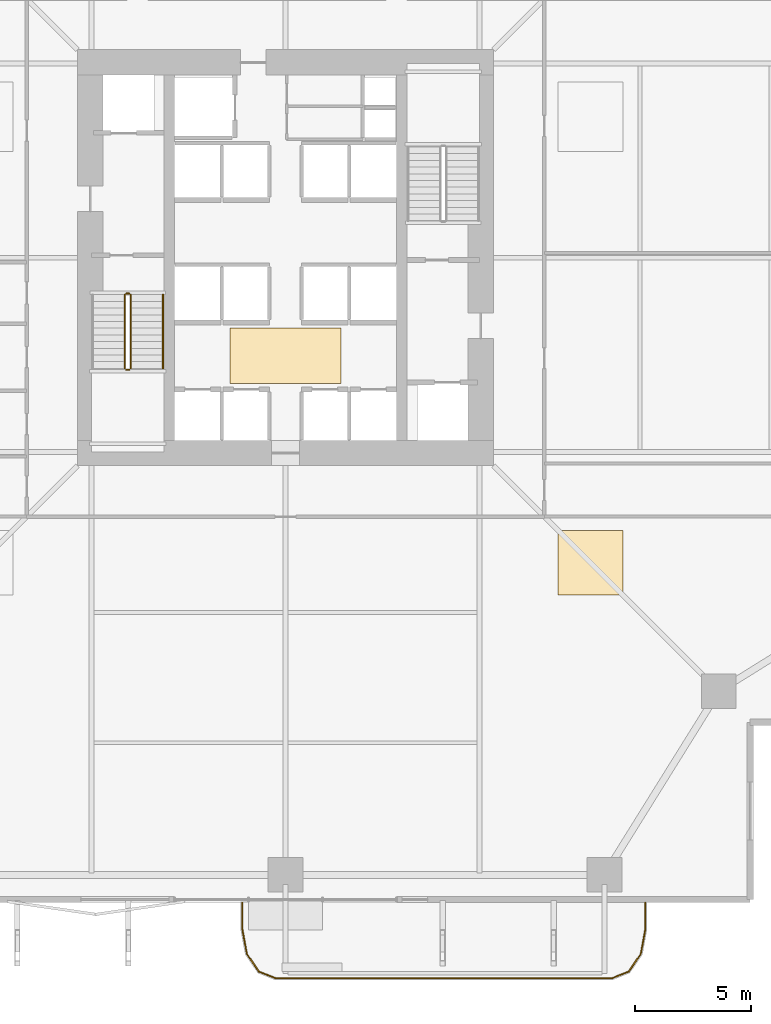
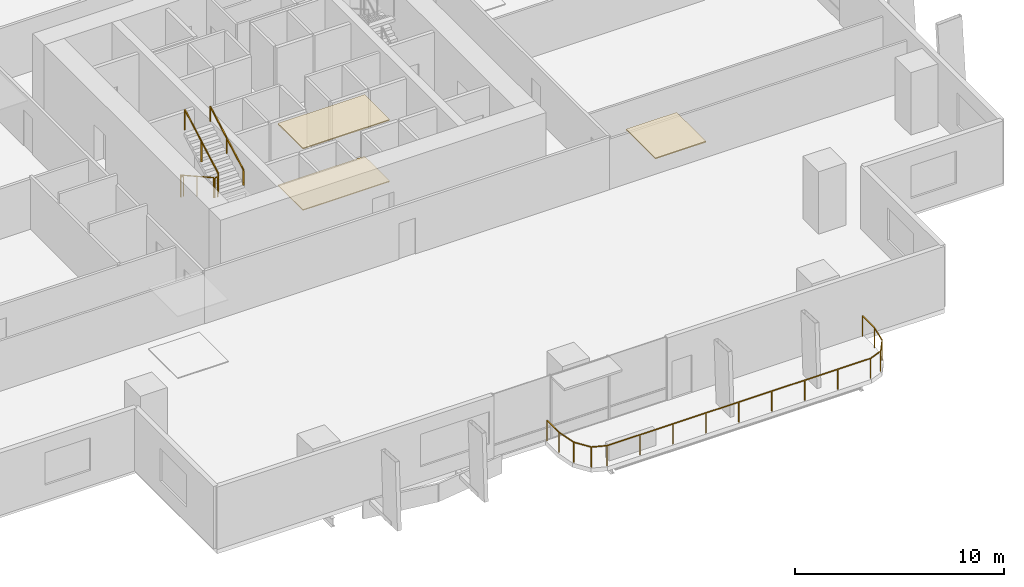
# One storey, part 21 of 23: 6 railings, 3 coverings.
"""IFC4 building model written with IfcOpenShell, lengths in metres."""

from ifc_helpers import new_model, si_unit, direction, frame, origin, origin_2d, place, context, subcontext, project, spatial, polyline, rectangle, outline, extrude, material, layer, layer_set, type_object, element, save


model = new_model("IFC4")

# Units and contexts
model_context = context("Model", 3, precision=1e-05, world=origin(), true_north=direction((0.0, 1.0)))
body_context = subcontext(model_context, "Body", "Model", "MODEL_VIEW")
ifc_project = project(units=[si_unit("LENGTHUNIT", "METRE"), si_unit("AREAUNIT", "SQUARE_METRE"), si_unit("VOLUMEUNIT", "CUBIC_METRE"), si_unit("PLANEANGLEUNIT", "RADIAN"), si_unit("MASSUNIT", "GRAM", prefix="KILO")], contexts=[model_context])

# Site, building, storey
site_placement = place(None, origin())
site = spatial("IfcSite", under=ifc_project, at=site_placement, CompositionType="ELEMENT")
building_placement = place(site_placement, origin())
building = spatial("IfcBuilding", under=site, at=building_placement, Name="Belovzor Exchange Tower", CompositionType="ELEMENT")
storey_placement = place(building_placement, frame((0.0, 0.0, 57.300048828125)))
storey = spatial("IfcBuildingStorey", under=building, at=storey_placement, Name="L13", CompositionType="ELEMENT", Elevation=57.300048828125)

# Railings
ifc_material_1 = material(Name="Stainless Steel Grade 304", Category="steel")
railing_type_1 = type_object("IfcRailingType", Name="Brushed Stainless Steel Stair Handrail 900", PredefinedType="HANDRAIL", material=ifc_material_1)
railing_1_placement = place(storey_placement, frame((23.5, 24.010009765625, 2.112548828125)))
element("IfcRailing", 1, at=railing_1_placement, inside=storey, type_object=railing_type_1, Name="L13 ST-1 stair handrail 2", PredefinedType="HANDRAIL", context=body_context, shape_type="SweptSolid", body=[
    extrude(rectangle(XDim=0.048095703125, YDim=0.048095703125, at=origin_2d()), frame((0.0, 0.0, 0.8759765625), z_axis=(0.0, 0.872390997893, 0.488808701636), x_axis=(-1.0, 0.0, 0.0)), (0.0, 0.0, 1.0), 3.656494140625),
    extrude(rectangle(XDim=0.0419921875, YDim=0.0419921875, at=origin_2d()), origin(), (0.0, 0.0, 1.0), 0.851806640625),
    extrude(rectangle(XDim=0.0419921875, YDim=0.0419921875, at=origin_2d()), frame((0.0, 1.594970703125, 0.8935546875)), (0.0, 0.0, 1.0), 0.851806640625),
    extrude(rectangle(XDim=0.0419921875, YDim=0.0419921875, at=origin_2d()), frame((0.0, 3.18994140625, 1.787353515625)), (0.0, 0.0, 1.0), 0.851806640625),
])
ifc_material_2 = material(Name="Stainless Steel and Laminated Safety Glass", Category="steel")
railing_type_2 = type_object("IfcRailingType", Name="Laminated Glass & Stainless Steel Balcony Balustrade 1200", PredefinedType="BALUSTRADE", material=ifc_material_2)
railing_2_placement = place(storey_placement, frame((26.929931640625, 0.889892578125, 0.0)))
element("IfcRailing", 2, at=railing_2_placement, inside=storey, type_object=railing_type_2, Name="GR-1 Balcony Balustrade L13 South", PredefinedType="BALUSTRADE", context=body_context, shape_type="SweptSolid", body=[
    extrude(rectangle(XDim=0.048095703125, YDim=0.048095703125, at=origin_2d()), frame((0.0, 0.0, 1.17578125), z_axis=(0.0, -1.0, 0.0), x_axis=(1.0, 0.0, 0.0)), (0.0, 0.0, 1.0), 1.1328125),
    extrude(rectangle(XDim=0.048095703125, YDim=0.048095703125, at=origin_2d()), frame((0.0, -1.1328125, 1.17578125), z_axis=(0.180083182347, -0.983651385113, 0.0), x_axis=(0.983651385113, 0.180083182347, 0.0)), (0.0, 0.0, 1.0), 1.093994140625),
    extrude(rectangle(XDim=0.048095703125, YDim=0.048095703125, at=origin_2d()), frame((0.197021484375, -2.208984375, 1.17578125), z_axis=(0.56294695933, -0.826493025367, 0.0), x_axis=(0.826493025367, 0.56294695933, 0.0)), (0.0, 0.0, 1.0), 0.932861328125),
    extrude(rectangle(XDim=0.048095703125, YDim=0.048095703125, at=origin_2d()), frame((0.72216796875, -2.97998046875, 1.17578125), z_axis=(0.930766990125, -0.365612923861, 0.0), x_axis=(0.365612923861, 0.930766990125, 0.0)), (0.0, 0.0, 1.0), 0.765869140625),
    extrude(rectangle(XDim=0.048095703125, YDim=0.048095703125, at=origin_2d()), frame((1.43505859375, -3.260009765625, 1.17578125), z_axis=(1.0, 0.0, 0.0), x_axis=(0.0, 1.0, 0.0)), (0.0, 0.0, 1.0), 14.570068359375),
    extrude(rectangle(XDim=0.048095703125, YDim=0.048095703125, at=origin_2d()), frame((16.005126953125, -3.260009765625, 1.17578125), z_axis=(0.930766990125, 0.365612923861, 0.0), x_axis=(-0.365612923861, 0.930766990125, 0.0)), (0.0, 0.0, 1.0), 0.765869140625),
    extrude(rectangle(XDim=0.048095703125, YDim=0.048095703125, at=origin_2d()), frame((16.718017578125, -2.97998046875, 1.17578125), z_axis=(0.56294695933, 0.826493025367, 0.0), x_axis=(-0.826493025367, 0.56294695933, 0.0)), (0.0, 0.0, 1.0), 0.932861328125),
    extrude(rectangle(XDim=0.048095703125, YDim=0.048095703125, at=origin_2d()), frame((17.2431640625, -2.208984375, 1.17578125), z_axis=(0.180083182347, 0.983651385113, 0.0), x_axis=(-0.983651385113, 0.180083182347, 0.0)), (0.0, 0.0, 1.0), 1.093994140625),
    extrude(rectangle(XDim=0.048095703125, YDim=0.048095703125, at=origin_2d()), frame((17.440185546875, -1.1328125, 1.17578125), z_axis=(0.0, 1.0, 0.0), x_axis=(-1.0, 0.0, 0.0)), (0.0, 0.0, 1.0), 1.1328125),
    extrude(rectangle(XDim=0.0419921875, YDim=0.0419921875, at=origin_2d()), origin(), (0.0, 0.0, 1.0), 1.15185546875),
    extrude(rectangle(XDim=0.0419921875, YDim=0.0419921875, at=origin_2d()), frame((0.0, -1.1328125, 0.0)), (0.0, 0.0, 1.0), 1.15185546875),
    extrude(rectangle(XDim=0.0419921875, YDim=0.0419921875, at=origin_2d()), frame((0.197021484375, -2.208984375, 0.0)), (0.0, 0.0, 1.0), 1.15185546875),
    extrude(rectangle(XDim=0.0419921875, YDim=0.0419921875, at=origin_2d()), frame((0.72216796875, -2.97998046875, 0.0)), (0.0, 0.0, 1.0), 1.15185546875),
    extrude(rectangle(XDim=0.0419921875, YDim=0.0419921875, at=origin_2d()), frame((1.43505859375, -3.260009765625, 0.0)), (0.0, 0.0, 1.0), 1.15185546875),
    extrude(rectangle(XDim=0.0419921875, YDim=0.0419921875, at=origin_2d()), frame((3.25634765625, -3.260009765625, 0.0)), (0.0, 0.0, 1.0), 1.15185546875),
    extrude(rectangle(XDim=0.0419921875, YDim=0.0419921875, at=origin_2d()), frame((5.07763671875, -3.260009765625, 0.0)), (0.0, 0.0, 1.0), 1.15185546875),
    extrude(rectangle(XDim=0.0419921875, YDim=0.0419921875, at=origin_2d()), frame((6.89892578125, -3.260009765625, 0.0)), (0.0, 0.0, 1.0), 1.15185546875),
    extrude(rectangle(XDim=0.0419921875, YDim=0.0419921875, at=origin_2d()), frame((8.72021484375, -3.260009765625, 0.0)), (0.0, 0.0, 1.0), 1.15185546875),
    extrude(rectangle(XDim=0.0419921875, YDim=0.0419921875, at=origin_2d()), frame((10.541259765625, -3.260009765625, 0.0)), (0.0, 0.0, 1.0), 1.15185546875),
    extrude(rectangle(XDim=0.0419921875, YDim=0.0419921875, at=origin_2d()), frame((12.362548828125, -3.260009765625, 0.0)), (0.0, 0.0, 1.0), 1.15185546875),
    extrude(rectangle(XDim=0.0419921875, YDim=0.0419921875, at=origin_2d()), frame((14.183837890625, -3.260009765625, 0.0)), (0.0, 0.0, 1.0), 1.15185546875),
    extrude(rectangle(XDim=0.0419921875, YDim=0.0419921875, at=origin_2d()), frame((16.005126953125, -3.260009765625, 0.0)), (0.0, 0.0, 1.0), 1.15185546875),
    extrude(rectangle(XDim=0.0419921875, YDim=0.0419921875, at=origin_2d()), frame((16.718017578125, -2.97998046875, 0.0)), (0.0, 0.0, 1.0), 1.15185546875),
    extrude(rectangle(XDim=0.0419921875, YDim=0.0419921875, at=origin_2d()), frame((17.2431640625, -2.208984375, 0.0)), (0.0, 0.0, 1.0), 1.15185546875),
    extrude(rectangle(XDim=0.0419921875, YDim=0.0419921875, at=origin_2d()), frame((17.440185546875, -1.1328125, 0.0)), (0.0, 0.0, 1.0), 1.15185546875),
    extrude(rectangle(XDim=0.0419921875, YDim=0.0419921875, at=origin_2d()), frame((17.440185546875, 0.0, 0.0)), (0.0, 0.0, 1.0), 1.15185546875),
])
ifc_material_3 = material(Name="Steel S355", Category="steel")
railing_type_3 = type_object("IfcRailingType", Name="Painted Steel Stairwell Guardrail 1200", PredefinedType="GUARDRAIL", material=ifc_material_3)
railing_3_placement = place(storey_placement, frame((21.85009765625, 27.199951171875, 0.162353515625)))
element("IfcRailing", 3, at=railing_3_placement, inside=storey, type_object=railing_type_3, Name="L13 ST-1 stair guard 1", PredefinedType="GUARDRAIL", context=body_context, shape_type="SweptSolid", body=[
    extrude(rectangle(XDim=0.048095703125, YDim=0.048095703125, at=origin_2d()), frame((0.0, 0.0, 1.17578125), z_axis=(0.0, -0.8723625253, 0.488859514025), x_axis=(1.0, 0.0, 0.0)), (0.0, 0.0, 1.0), 3.65673828125),
    extrude(rectangle(XDim=0.0419921875, YDim=0.0419921875, at=origin_2d()), origin(), (0.0, 0.0, 1.0), 1.15185546875),
    extrude(rectangle(XDim=0.0419921875, YDim=0.0419921875, at=origin_2d()), frame((0.0, -1.594970703125, 0.893798828125)), (0.0, 0.0, 1.0), 1.15185546875),
    extrude(rectangle(XDim=0.0419921875, YDim=0.0419921875, at=origin_2d()), frame((0.0, -3.18994140625, 1.78759765625)), (0.0, 0.0, 1.0), 1.15185546875),
])
railing_4_placement = place(storey_placement, frame((21.89990234375, 23.9599609375, 1.949951171875)))
element("IfcRailing", 4, at=railing_4_placement, inside=storey, type_object=railing_type_3, Name="L13 ST-1 stair guard 2", PredefinedType="GUARDRAIL", context=body_context, shape_type="SweptSolid", body=[
    extrude(rectangle(XDim=0.048095703125, YDim=0.048095703125, at=origin_2d()), frame((0.0, 0.0, 1.17578125), z_axis=(1.0, 0.0, 0.0), x_axis=(0.0, 1.0, 0.0)), (0.0, 0.0, 1.0), 0.150146484375),
    extrude(rectangle(XDim=0.0419921875, YDim=0.0419921875, at=origin_2d()), origin(), (0.0, 0.0, 1.0), 1.15185546875),
    extrude(rectangle(XDim=0.0419921875, YDim=0.0419921875, at=origin_2d()), frame((0.150146484375, 0.0, 0.0)), (0.0, 0.0, 1.0), 1.15185546875),
])
railing_5_placement = place(storey_placement, frame((22.10009765625, 24.010009765625, 2.112548828125)))
element("IfcRailing", 5, at=railing_5_placement, inside=storey, type_object=railing_type_3, Name="L13 ST-1 stair guard 3", PredefinedType="GUARDRAIL", context=body_context, shape_type="SweptSolid", body=[
    extrude(rectangle(XDim=0.048095703125, YDim=0.048095703125, at=origin_2d()), frame((0.0, 0.0, 1.17578125), z_axis=(0.0, 0.872390997893, 0.488808701636), x_axis=(-1.0, 0.0, 0.0)), (0.0, 0.0, 1.0), 3.656494140625),
    extrude(rectangle(XDim=0.0419921875, YDim=0.0419921875, at=origin_2d()), origin(), (0.0, 0.0, 1.0), 1.15185546875),
    extrude(rectangle(XDim=0.0419921875, YDim=0.0419921875, at=origin_2d()), frame((0.0, 1.594970703125, 0.8935546875)), (0.0, 0.0, 1.0), 1.15185546875),
    extrude(rectangle(XDim=0.0419921875, YDim=0.0419921875, at=origin_2d()), frame((0.0, 3.18994140625, 1.787353515625)), (0.0, 0.0, 1.0), 1.15185546875),
])
railing_6_placement = place(storey_placement, frame((21.89990234375, 27.25, 0.0)))
element("IfcRailing", 6, at=railing_6_placement, inside=storey, type_object=railing_type_3, Name="L13 ST-1 stair guard 4", PredefinedType="GUARDRAIL", context=body_context, shape_type="SweptSolid", body=[
    extrude(rectangle(XDim=0.048095703125, YDim=0.048095703125, at=origin_2d()), frame((0.0, 0.0, 1.17578125), z_axis=(1.0, 0.0, 0.0), x_axis=(0.0, 1.0, 0.0)), (0.0, 0.0, 1.0), 0.150146484375),
    extrude(rectangle(XDim=0.0419921875, YDim=0.0419921875, at=origin_2d()), origin(), (0.0, 0.0, 1.0), 1.15185546875),
    extrude(rectangle(XDim=0.0419921875, YDim=0.0419921875, at=origin_2d()), frame((0.150146484375, 0.0, 0.0)), (0.0, 0.0, 1.0), 1.15185546875),
])

# Coverings
ifc_material_4 = material(Name="Perforated Powder-Coated Aluminium", Category="aluminium")
ifc_layer_1 = layer(ifc_material_4, 0.06005859375)
ifc_layer_set_1 = layer_set([ifc_layer_1], Name="Perforated Powder-Coated Aluminium")
covering_type_1 = type_object("IfcCoveringType", Name="Perforated Acoustic Metal Tile Suspended Ceiling 60", PredefinedType="CEILING", material=ifc_layer_set_1)
covering_1_placement = place(storey_placement, frame((0.0, 0.0, 3.58984375)))
element("IfcCovering", 7, at=covering_1_placement, inside=storey, type_object=covering_type_1, Name="CLG-AC60 Suspended Ceiling CLG-L13-LOB", PredefinedType="CEILING", context=body_context, shape_type="SweptSolid", body=[
    extrude(outline(polyline([(26.39990234375, 23.35009765625), (31.199951171875, 23.35009765625), (31.199951171875, 25.75), (26.39990234375, 25.75), (26.39990234375, 23.35009765625)])), origin(), (0.0, 0.0, 1.0), 0.06005859375),
])
covering_2_placement = place(storey_placement, frame((0.0, 0.0, 3.58984375)))
element("IfcCovering", 8, at=covering_2_placement, inside=storey, type_object=covering_type_1, Name="CLG-AC60 Suspended Ceiling CLG-L13-Z1", PredefinedType="CEILING", context=body_context, shape_type="SweptSolid", body=[
    extrude(outline(polyline([(40.60009765625, 14.199951171875), (43.39990234375, 14.199951171875), (43.39990234375, 17.0), (40.60009765625, 17.0), (40.60009765625, 14.199951171875)])), origin(), (0.0, 0.0, 1.0), 0.06005859375),
])
ifc_material_5 = material(Name="Polished Natural Granite Tile", Category="masonry")
ifc_layer_2 = layer(ifc_material_5, 0.050048828125)
ifc_layer_set_2 = layer_set([ifc_layer_2], Name="Polished Natural Granite Tile")
covering_type_2 = type_object("IfcCoveringType", Name="Polished Karelian Granite & Raised Access Floor Finish 50", PredefinedType="FLOORING", material=ifc_layer_set_2)
covering_3_placement = place(storey_placement, origin())
element("IfcCovering", 9, at=covering_3_placement, inside=storey, type_object=covering_type_2, Name="FLR-GR50 Floor Finish FLR-L13-LOB", PredefinedType="FLOORING", context=body_context, shape_type="SweptSolid", body=[
    extrude(outline(polyline([(26.39990234375, 23.35009765625), (31.199951171875, 23.35009765625), (31.199951171875, 25.75), (26.39990234375, 25.75), (26.39990234375, 23.35009765625)])), origin(), (0.0, 0.0, 1.0), 0.050048828125),
])

save(model, "model.ifc")
